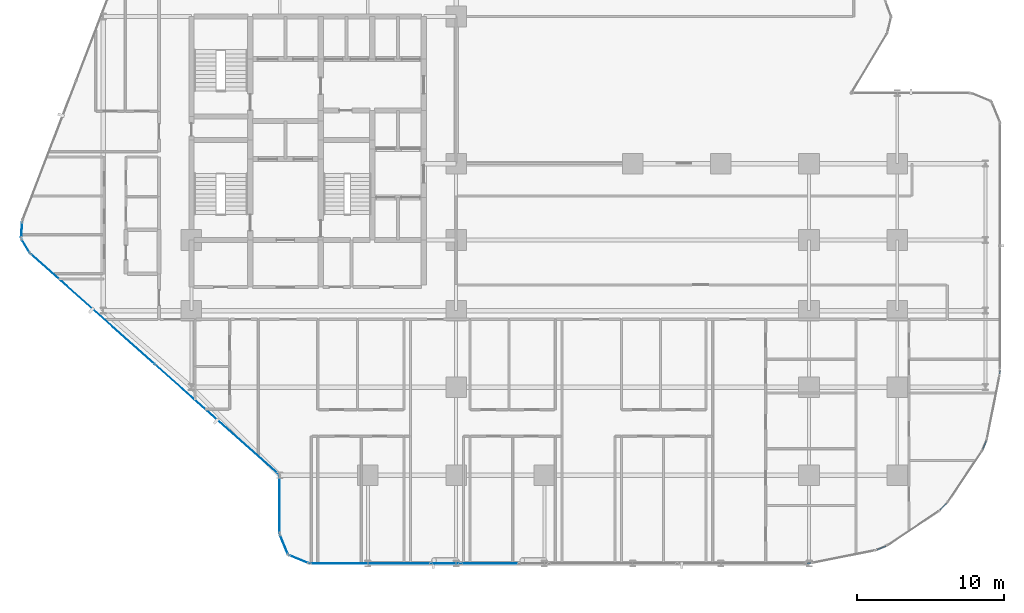
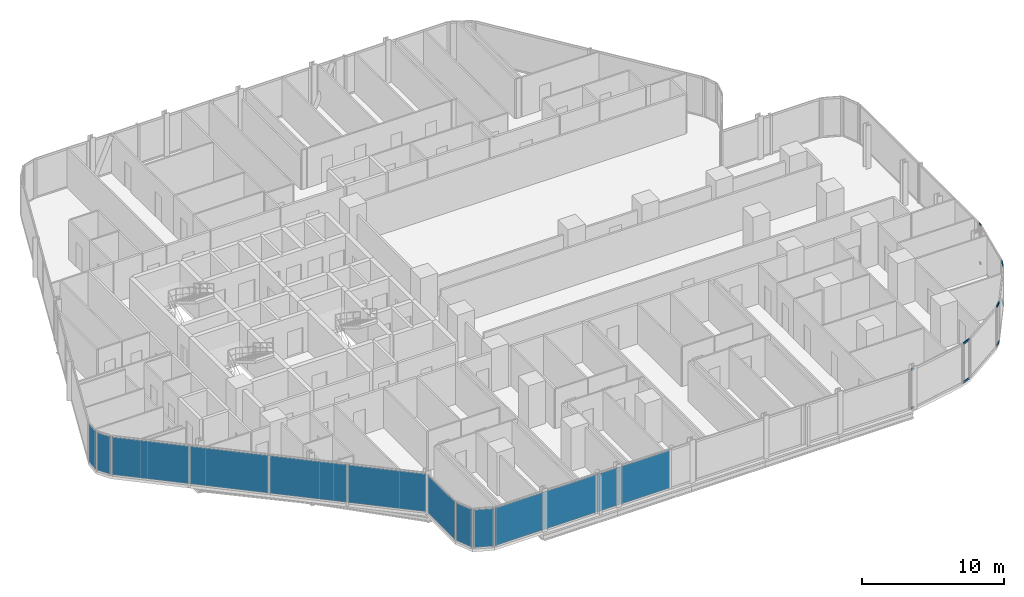
# One storey, part 20 of 34: 10 members, 10 plates, 14 elements without a shape of their own.
"""IFC4 building model written with IfcOpenShell, lengths in metres."""

from ifc_helpers import new_model, si_unit, direction, frame, origin, origin_2d, place, context, subcontext, project, spatial, rectangle, hollow_rectangle, extrude, material, layer, layer_set, material_profile, profile_set, type_object, element, aggregate, save


model = new_model("IFC4")

# Units and contexts
model_context = context("Model", 3, precision=1e-05, world=origin(), true_north=direction((0.0, 1.0)))
body_context = subcontext(model_context, "Body", "Model", "MODEL_VIEW")
ifc_project = project(units=[si_unit("LENGTHUNIT", "METRE"), si_unit("AREAUNIT", "SQUARE_METRE"), si_unit("VOLUMEUNIT", "CUBIC_METRE"), si_unit("PLANEANGLEUNIT", "RADIAN"), si_unit("MASSUNIT", "GRAM", prefix="KILO")], contexts=[model_context])

# Site, building, storey
site_placement = place(None, origin())
site = spatial("IfcSite", under=ifc_project, at=site_placement, CompositionType="ELEMENT")
building_placement = place(site_placement, origin())
building = spatial("IfcBuilding", under=site, at=building_placement, Name="Keshet Zoharim Tower", CompositionType="ELEMENT")
storey_placement = place(building_placement, frame((0.0, 0.0, 31.39990234375)))
storey = spatial("IfcBuildingStorey", under=building, at=storey_placement, Name="L06", CompositionType="ELEMENT", Elevation=31.39990234375)

# Curtain wall, members
ifc_material_1 = material(Name="Aluminium 6063-T6", Category="aluminium")
ifc_layer_1 = layer(ifc_material_1, 0.169921875)
ifc_layer_set_1 = layer_set([ifc_layer_1], Name="Aluminium 6063-T6")
curtain_wall_type_1 = type_object("IfcCurtainWallType", Name="CW-SYS-02", PredefinedType="NOTDEFINED", material=ifc_layer_set_1)
curtain_wall_1_placement = place(storey_placement, origin())
curtain_wall_1 = element("IfcCurtainWall", 1, at=curtain_wall_1_placement, inside=storey, type_object=curtain_wall_type_1, Name="L06 Unitised Curtain Wall 17", PredefinedType="NOTDEFINED")
ifc_material_profile = material_profile(ifc_material_1, hollow_rectangle(XDim=0.0849609375, YDim=0.159912109375, WallThickness=0.00439453125, at=origin_2d()), Name="TRN-85x160")
ifc_profile_set = profile_set([ifc_material_profile], Name="Aluminium 6063-T6")
member_type = type_object("IfcMemberType", Name="CWT-T16", PredefinedType="USERDEFINED", material=ifc_profile_set)
member_1_placement = place(storey_placement, frame((69.9931640625, 13.827392578125, 0.03515625), z_axis=(-0.096912647607, -0.995292890929, 0.0), x_axis=(0.995292890929, -0.096912647607, 0.0)))
member_1 = element("IfcMember", 2, at=member_1_placement, type_object=member_type, Name="CW-02 transom 1.1", ObjectType="TRANSOM", PredefinedType="USERDEFINED", context=body_context, shape_type="SweptSolid", body=[
    extrude(hollow_rectangle(XDim=0.0849609375, YDim=0.159912109375, WallThickness=0.00439453125, at=origin_2d()), origin(), (0.0, 0.0, 1.0), 0.251953125),
])
member_2_placement = place(storey_placement, frame((69.9931640625, 13.827392578125, 3.35009765625), z_axis=(-0.096912647607, -0.995292890929, 0.0), x_axis=(0.995292890929, -0.096912647607, 0.0)))
member_2 = element("IfcMember", 3, at=member_2_placement, type_object=member_type, Name="CW-02 transom 1.2", ObjectType="TRANSOM", PredefinedType="USERDEFINED", context=body_context, shape_type="SweptSolid", body=[
    extrude(hollow_rectangle(XDim=0.0849609375, YDim=0.159912109375, WallThickness=0.00439453125, at=origin_2d()), origin(), (0.0, 0.0, 1.0), 0.251953125),
])
aggregate(curtain_wall_1, [member_1, member_2])

ifc_layer_2 = layer(ifc_material_1, 0.179931640625)
ifc_layer_set_2 = layer_set([ifc_layer_2], Name="Aluminium 6063-T6")
curtain_wall_type_2 = type_object("IfcCurtainWallType", Name="CW-SYS-01", PredefinedType="NOTDEFINED", material=ifc_layer_set_2)
curtain_wall_2_placement = place(storey_placement, origin())
curtain_wall_2 = element("IfcCurtainWall", 4, at=curtain_wall_2_placement, inside=storey, type_object=curtain_wall_type_2, Name="L06 Unitised Curtain Wall 19", PredefinedType="NOTDEFINED")
member_3_placement = place(storey_placement, frame((69.061279296875, 9.05029296875, 0.03515625), z_axis=(-0.383126096215, -0.923696050874, 0.0), x_axis=(0.923696050874, -0.383126096215, 0.0)))
member_3 = element("IfcMember", 5, at=member_3_placement, type_object=member_type, Name="CW-01 transom 1.1", ObjectType="TRANSOM", PredefinedType="USERDEFINED", context=body_context, shape_type="SweptSolid", body=[
    extrude(hollow_rectangle(XDim=0.0849609375, YDim=0.159912109375, WallThickness=0.00439453125, at=origin_2d()), origin(), (0.0, 0.0, 1.0), 0.640380859375),
])
member_4_placement = place(storey_placement, frame((69.061279296875, 9.05029296875, 3.35009765625), z_axis=(-0.383126096215, -0.923696050874, 0.0), x_axis=(0.923696050874, -0.383126096215, 0.0)))
member_4 = element("IfcMember", 6, at=member_4_placement, type_object=member_type, Name="CW-01 transom 1.2", ObjectType="TRANSOM", PredefinedType="USERDEFINED", context=body_context, shape_type="SweptSolid", body=[
    extrude(hollow_rectangle(XDim=0.0849609375, YDim=0.159912109375, WallThickness=0.00439453125, at=origin_2d()), origin(), (0.0, 0.0, 1.0), 0.640380859375),
])
aggregate(curtain_wall_2, [member_3, member_4])

curtain_wall_3_placement = place(storey_placement, origin())
curtain_wall_3 = element("IfcCurtainWall", 7, at=curtain_wall_3_placement, inside=storey, type_object=curtain_wall_type_2, Name="L06 Unitised Curtain Wall 21", PredefinedType="NOTDEFINED")
member_5_placement = place(storey_placement, frame((66.363525390625, 4.78857421875, 0.03515625), z_axis=(-0.707106781187, -0.707106781187, 0.0), x_axis=(0.707106781187, -0.707106781187, 0.0)))
member_5 = element("IfcMember", 8, at=member_5_placement, type_object=member_type, Name="CW-01 transom 1.1", ObjectType="TRANSOM", PredefinedType="USERDEFINED", context=body_context, shape_type="SweptSolid", body=[
    extrude(hollow_rectangle(XDim=0.0849609375, YDim=0.159912109375, WallThickness=0.00439453125, at=origin_2d()), origin(), (0.0, 0.0, 1.0), 0.639404296875),
])
member_6_placement = place(storey_placement, frame((66.363525390625, 4.78857421875, 3.35009765625), z_axis=(-0.707106781187, -0.707106781187, 0.0), x_axis=(0.707106781187, -0.707106781187, 0.0)))
member_6 = element("IfcMember", 9, at=member_6_placement, type_object=member_type, Name="CW-01 transom 1.2", ObjectType="TRANSOM", PredefinedType="USERDEFINED", context=body_context, shape_type="SweptSolid", body=[
    extrude(hollow_rectangle(XDim=0.0849609375, YDim=0.159912109375, WallThickness=0.00439453125, at=origin_2d()), origin(), (0.0, 0.0, 1.0), 0.639404296875),
])
aggregate(curtain_wall_3, [member_5, member_6])

curtain_wall_4_placement = place(storey_placement, origin())
curtain_wall_4 = element("IfcCurtainWall", 10, at=curtain_wall_4_placement, inside=storey, type_object=curtain_wall_type_2, Name="L06 Unitised Curtain Wall 23", PredefinedType="NOTDEFINED")
member_7_placement = place(storey_placement, frame((62.241455078125, 1.88427734375, 0.03515625), z_axis=(-0.923751978938, -0.382991228891, 0.0), x_axis=(0.382991228891, -0.923751978938, 0.0)))
member_7 = element("IfcMember", 11, at=member_7_placement, type_object=member_type, Name="CW-01 transom 1.1", ObjectType="TRANSOM", PredefinedType="USERDEFINED", context=body_context, shape_type="SweptSolid", body=[
    extrude(hollow_rectangle(XDim=0.0849609375, YDim=0.159912109375, WallThickness=0.00439453125, at=origin_2d()), origin(), (0.0, 0.0, 1.0), 0.640625),
])
member_8_placement = place(storey_placement, frame((62.241455078125, 1.88427734375, 3.35009765625), z_axis=(-0.923751978938, -0.382991228891, 0.0), x_axis=(0.382991228891, -0.923751978938, 0.0)))
member_8 = element("IfcMember", 12, at=member_8_placement, type_object=member_type, Name="CW-01 transom 1.2", ObjectType="TRANSOM", PredefinedType="USERDEFINED", context=body_context, shape_type="SweptSolid", body=[
    extrude(hollow_rectangle(XDim=0.0849609375, YDim=0.159912109375, WallThickness=0.00439453125, at=origin_2d()), origin(), (0.0, 0.0, 1.0), 0.640625),
])
aggregate(curtain_wall_4, [member_7, member_8])

curtain_wall_5_placement = place(storey_placement, origin())
curtain_wall_5 = element("IfcCurtainWall", 13, at=curtain_wall_5_placement, inside=storey, type_object=curtain_wall_type_2, Name="L06 Unitised Curtain Wall 25", PredefinedType="NOTDEFINED")
member_9_placement = place(storey_placement, frame((57.123291015625, 0.731201171875, 0.03515625), z_axis=(-0.995292890929, -0.096912647607, 0.0), x_axis=(0.096912647607, -0.995292890929, 0.0)))
member_9 = element("IfcMember", 14, at=member_9_placement, type_object=member_type, Name="CW-01 transom 1.1", ObjectType="TRANSOM", PredefinedType="USERDEFINED", context=body_context, shape_type="SweptSolid", body=[
    extrude(hollow_rectangle(XDim=0.0849609375, YDim=0.159912109375, WallThickness=0.00439453125, at=origin_2d()), origin(), (0.0, 0.0, 1.0), 0.251953125),
])
member_10_placement = place(storey_placement, frame((57.123291015625, 0.731201171875, 3.35009765625), z_axis=(-0.995292890929, -0.096912647607, 0.0), x_axis=(0.096912647607, -0.995292890929, 0.0)))
member_10 = element("IfcMember", 15, at=member_10_placement, type_object=member_type, Name="CW-01 transom 1.2", ObjectType="TRANSOM", PredefinedType="USERDEFINED", context=body_context, shape_type="SweptSolid", body=[
    extrude(hollow_rectangle(XDim=0.0849609375, YDim=0.159912109375, WallThickness=0.00439453125, at=origin_2d()), origin(), (0.0, 0.0, 1.0), 0.251953125),
])
aggregate(curtain_wall_5, [member_9, member_10])

# Curtain wall, plates
curtain_wall_6_placement = place(storey_placement, origin())
curtain_wall_6 = element("IfcCurtainWall", 16, at=curtain_wall_6_placement, inside=storey, type_object=curtain_wall_type_2, Name="L06 Unitised Curtain Wall 01", PredefinedType="NOTDEFINED")
ifc_material_2 = material(Name="Insulated Low-E Clear Glass", Category="glass")
ifc_layer_3 = layer(ifc_material_2, 0.035888671875)
ifc_layer_set_3 = layer_set([ifc_layer_3], Name="Insulated Low-E Clear Glass")
plate_type_1 = type_object("IfcPlateType", Name="CWP-01", PredefinedType="CURTAIN_PANEL", material=ifc_layer_set_3)
plate_1_placement = place(storey_placement, frame((16.74560546875, 10.481689453125, 0.070068359375), z_axis=(0.0, 0.0, 1.0), x_axis=(-0.747409318679, 0.664363838836, 0.0)))
plate_1 = element("IfcPlate", 17, at=plate_1_placement, type_object=plate_type_1, Name="CW-01 panel 1.1", PredefinedType="CURTAIN_PANEL", context=body_context, shape_type="SweptSolid", body=[
    extrude(rectangle(XDim=11.244140625, YDim=0.035888671875, at=origin_2d()), origin(), (0.0, 0.0, 1.0), 3.2451171875),
])
plate_2_placement = place(storey_placement, frame((8.289306640625, 17.998291015625, 0.070068359375), z_axis=(0.0, 0.0, 1.0), x_axis=(-0.747409318679, 0.664363838836, 0.0)))
plate_2 = element("IfcPlate", 18, at=plate_2_placement, type_object=plate_type_1, Name="CW-01 panel 2.1", PredefinedType="CURTAIN_PANEL", context=body_context, shape_type="SweptSolid", body=[
    extrude(rectangle(XDim=11.244140625, YDim=0.035888671875, at=origin_2d()), origin(), (0.0, 0.0, 1.0), 3.2451171875),
])
aggregate(curtain_wall_6, [plate_1, plate_2])

# Curtain wall, plate
curtain_wall_7_placement = place(storey_placement, origin())
curtain_wall_7 = element("IfcCurtainWall", 19, at=curtain_wall_7_placement, inside=storey, type_object=curtain_wall_type_2, Name="L06 Unitised Curtain Wall 02", PredefinedType="NOTDEFINED")
plate_3_placement = place(storey_placement, frame((3.7275390625, 22.291015625, 0.070068359375), z_axis=(0.0, 0.0, 1.0), x_axis=(-0.515604947933, 0.856826433805, 0.0)))
plate_3 = element("IfcPlate", 20, at=plate_3_placement, type_object=plate_type_1, Name="CW-01 panel 1.1", PredefinedType="CURTAIN_PANEL", context=body_context, shape_type="SweptSolid", body=[
    extrude(rectangle(XDim=1.052734375, YDim=0.035888671875, at=origin_2d()), origin(), (0.0, 0.0, 1.0), 3.2451171875),
])
aggregate(curtain_wall_7, [plate_3])

curtain_wall_8_placement = place(storey_placement, origin())
curtain_wall_8 = element("IfcCurtainWall", 21, at=curtain_wall_8_placement, inside=storey, type_object=curtain_wall_type_2, Name="L06 Unitised Curtain Wall 03", PredefinedType="NOTDEFINED")
plate_4_placement = place(storey_placement, frame((3.45849609375, 23.3974609375, 0.070068359375), z_axis=(0.0, 0.0, 1.0), x_axis=(0.064516859374, 0.997916617186, 0.0)))
plate_4 = element("IfcPlate", 22, at=plate_4_placement, type_object=plate_type_1, Name="CW-01 panel 1.1", PredefinedType="CURTAIN_PANEL", context=body_context, shape_type="SweptSolid", body=[
    extrude(rectangle(XDim=1.053466796875, YDim=0.035888671875, at=origin_2d()), origin(), (0.0, 0.0, 1.0), 3.2451171875),
])
aggregate(curtain_wall_8, [plate_4])

curtain_wall_9_placement = place(storey_placement, origin())
curtain_wall_9 = element("IfcCurtainWall", 23, at=curtain_wall_9_placement, inside=storey, type_object=curtain_wall_type_2, Name="L06 Unitised Curtain Wall 26 Part 3", PredefinedType="NOTDEFINED")
plate_5_placement = place(storey_placement, frame((35.284912109375, 0.699951171875, 0.070068359375), z_axis=(0.0, 0.0, 1.0), x_axis=(-1.0, 0.0, 0.0)))
plate_5 = element("IfcPlate", 24, at=plate_5_placement, type_object=plate_type_1, Name="CW-01 panel 1.1", PredefinedType="CURTAIN_PANEL", context=body_context, shape_type="SweptSolid", body=[
    extrude(rectangle(XDim=3.90478515625, YDim=0.035888671875, at=origin_2d()), origin(), (0.0, 0.0, 1.0), 3.2451171875),
])
aggregate(curtain_wall_9, [plate_5])

curtain_wall_10_placement = place(storey_placement, origin())
curtain_wall_10 = element("IfcCurtainWall", 25, at=curtain_wall_10_placement, inside=storey, type_object=curtain_wall_type_2, Name="L06 Unitised Curtain Wall 26 Part 5", PredefinedType="NOTDEFINED")
plate_6_placement = place(storey_placement, frame((27.15380859375, 0.699951171875, 0.070068359375), z_axis=(0.0, 0.0, 1.0), x_axis=(-1.0, 0.0, 0.0)))
plate_6 = element("IfcPlate", 26, at=plate_6_placement, type_object=plate_type_1, Name="CW-01 panel 1.1", PredefinedType="CURTAIN_PANEL", context=body_context, shape_type="SweptSolid", body=[
    extrude(rectangle(XDim=8.16748046875, YDim=0.035888671875, at=origin_2d()), origin(), (0.0, 0.0, 1.0), 3.2451171875),
])
aggregate(curtain_wall_10, [plate_6])

curtain_wall_11_placement = place(storey_placement, origin())
curtain_wall_11 = element("IfcCurtainWall", 27, at=curtain_wall_11_placement, inside=storey, type_object=curtain_wall_type_2, Name="L06 Unitised Curtain Wall 27", PredefinedType="NOTDEFINED")
plate_7_placement = place(storey_placement, frame((22.29296875, 0.992919921875, 0.070068359375), z_axis=(0.0, 0.0, 1.0), x_axis=(-0.92380975372, 0.382851849847, 0.0)))
plate_7 = element("IfcPlate", 28, at=plate_7_placement, type_object=plate_type_1, Name="CW-01 panel 1.1", PredefinedType="CURTAIN_PANEL", context=body_context, shape_type="SweptSolid", body=[
    extrude(rectangle(XDim=1.390625, YDim=0.035888671875, at=origin_2d()), origin(), (0.0, 0.0, 1.0), 3.2451171875),
])
aggregate(curtain_wall_11, [plate_7])

curtain_wall_12_placement = place(storey_placement, origin())
curtain_wall_12 = element("IfcCurtainWall", 29, at=curtain_wall_12_placement, inside=storey, type_object=curtain_wall_type_2, Name="L06 Unitised Curtain Wall 28", PredefinedType="NOTDEFINED")
plate_8_placement = place(storey_placement, frame((21.29296875, 1.992919921875, 0.070068359375), z_axis=(0.0, 0.0, 1.0), x_axis=(-0.382851849847, 0.92380975372, 0.0)))
plate_8 = element("IfcPlate", 30, at=plate_8_placement, type_object=plate_type_1, Name="CW-01 panel 1.1", PredefinedType="CURTAIN_PANEL", context=body_context, shape_type="SweptSolid", body=[
    extrude(rectangle(XDim=1.390625, YDim=0.035888671875, at=origin_2d()), origin(), (0.0, 0.0, 1.0), 3.2451171875),
])
aggregate(curtain_wall_12, [plate_8])

curtain_wall_13_placement = place(storey_placement, origin())
curtain_wall_13 = element("IfcCurtainWall", 31, at=curtain_wall_13_placement, inside=storey, type_object=curtain_wall_type_2, Name="L06 Unitised Curtain Wall 29", PredefinedType="NOTDEFINED")
plate_9_placement = place(storey_placement, frame((21.0, 4.699951171875, 0.070068359375), z_axis=(0.0, 0.0, 1.0), x_axis=(0.0, 1.0, 0.0)))
plate_9 = element("IfcPlate", 32, at=plate_9_placement, type_object=plate_type_1, Name="CW-01 panel 1.1", PredefinedType="CURTAIN_PANEL", context=body_context, shape_type="SweptSolid", body=[
    extrude(rectangle(XDim=3.860107421875, YDim=0.035888671875, at=origin_2d()), origin(), (0.0, 0.0, 1.0), 3.2451171875),
])
aggregate(curtain_wall_13, [plate_9])

curtain_wall_14_placement = place(storey_placement, origin())
curtain_wall_14 = element("IfcCurtainWall", 33, at=curtain_wall_14_placement, inside=storey, type_object=curtain_wall_type_2, Name="L06 Unitised Curtain Wall 26 Part 4", PredefinedType="NOTDEFINED")
ifc_material_3 = material(Name="Insulated Aluminium Spandrel Panel", Category="aluminium")
ifc_layer_4 = layer(ifc_material_3, 0.035888671875)
ifc_layer_set_4 = layer_set([ifc_layer_4], Name="Insulated Aluminium Spandrel Panel")
plate_type_2 = type_object("IfcPlateType", Name="CWP-04", PredefinedType="CURTAIN_PANEL", material=ifc_layer_set_4)
plate_10_placement = place(storey_placement, frame((32.284912109375, 0.699951171875, 0.070068359375), z_axis=(0.0, 0.0, 1.0), x_axis=(-1.0, 0.0, 0.0)))
plate_10 = element("IfcPlate", 34, at=plate_10_placement, type_object=plate_type_2, Name="CW-01 spandrel panel 1.1", PredefinedType="CURTAIN_PANEL", context=body_context, shape_type="SweptSolid", body=[
    extrude(rectangle(XDim=1.955078125, YDim=0.035888671875, at=origin_2d()), origin(), (0.0, 0.0, 1.0), 3.2451171875),
])
aggregate(curtain_wall_14, [plate_10])

save(model, "model.ifc")
